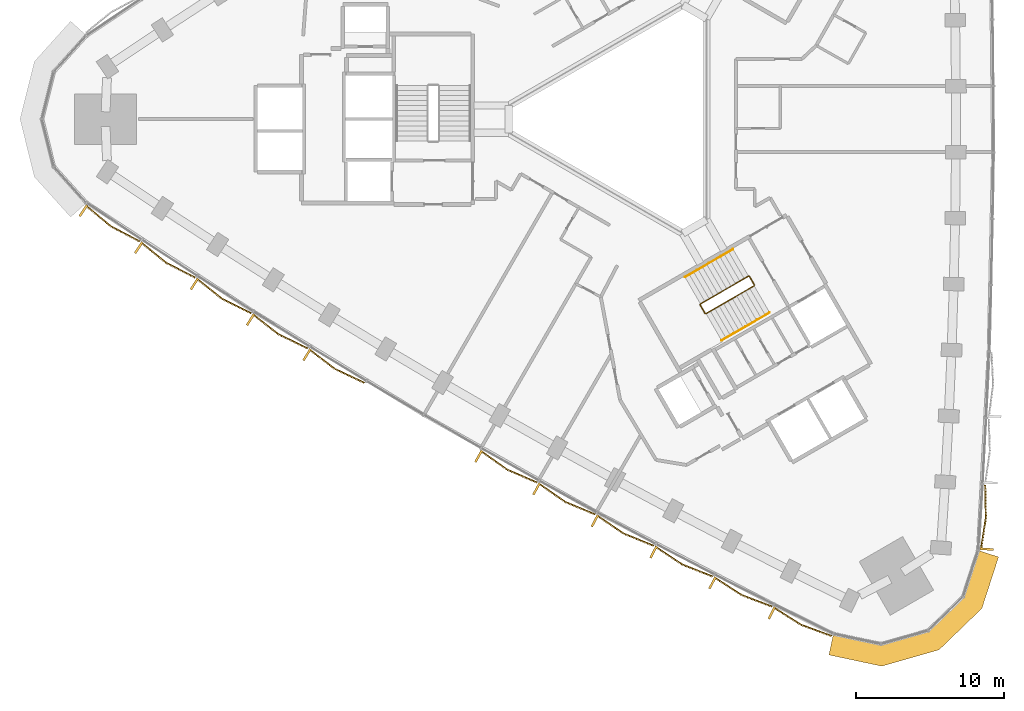
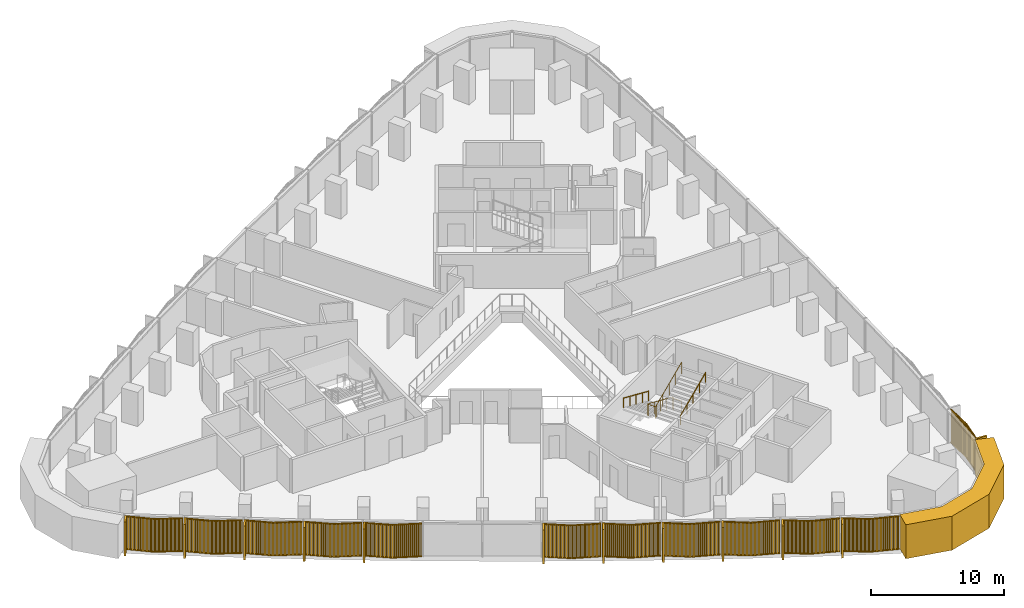
# One storey, part 13 of 15: 13 coverings, 3 railings.
"""IFC4 building model written with IfcOpenShell, lengths in metres."""

from ifc_helpers import new_model, si_unit, direction, frame, frame_2d, origin, origin_2d, place, context, subcontext, project, spatial, polyline, rectangle, circle, outline, extrude, source, transform, mapped, material, layer, layer_set, type_object, element, save


model = new_model("IFC4")

# Units and contexts
model_context = context("Model", 3, precision=1e-05, world=origin(), true_north=direction((0.0, 1.0)))
body_context = subcontext(model_context, "Body", "Model", "MODEL_VIEW")
ifc_project = project(units=[si_unit("LENGTHUNIT", "METRE"), si_unit("AREAUNIT", "SQUARE_METRE"), si_unit("VOLUMEUNIT", "CUBIC_METRE"), si_unit("PLANEANGLEUNIT", "RADIAN"), si_unit("MASSUNIT", "GRAM", prefix="KILO")], contexts=[model_context])

# Site, building, storey
site_placement = place(None, origin())
site = spatial("IfcSite", under=ifc_project, at=site_placement, CompositionType="ELEMENT")
building_placement = place(site_placement, origin())
building = spatial("IfcBuilding", under=site, at=building_placement, Name="Tamra Quay Hotel Tower", CompositionType="ELEMENT")
storey_placement = place(building_placement, frame((0.0, 0.0, 53.0)))
storey = spatial("IfcBuildingStorey", under=building, at=storey_placement, Name="L11", CompositionType="ELEMENT", Elevation=53.0)

# Covering
ifc_material_1 = material(Name="Precast concrete M60 terracotta-coloured", Category="masonry")
ifc_layer = layer(ifc_material_1, 1.449951171875)
ifc_layer_set = layer_set([ifc_layer], Name="CORNER PIER PANEL")
covering_type_1 = type_object("IfcCoveringType", Name="CORNER PIER PANEL", PredefinedType="CLADDING", material=ifc_layer_set)
covering_1_placement = place(storey_placement, origin())
element("IfcCovering", 1, at=covering_1_placement, inside=storey, type_object=covering_type_1, Name="Corner pier L11.south-west", PredefinedType="CLADDING", context=body_context, shape_type="SweptSolid", body=[
    extrude(outline(polyline([(13.593017578125, -34.877685546875), (13.29150390625, -36.296142578125), (16.88037109375, -37.058837890625), (20.75439453125, -35.947998046875), (23.65380859375, -33.148193359375), (24.78759765625, -29.658935546875), (23.40869140625, -29.210693359375), (22.386474609375, -32.356201171875), (20.00732421875, -34.65380859375), (16.828125, -35.5654296875), (13.593017578125, -34.877685546875)])), origin(), (0.0, 0.0, 1.0), 3.125),
])

# Railings
ifc_material_2 = material(Name="Stair guard 1100")
railing_type_1 = type_object("IfcRailingType", Name="Stair guard 1100", PredefinedType="GUARDRAIL", material=ifc_material_2)
railing_1_placement = place(storey_placement, frame((8.245849609375, -11.221923828125, 0.0)))
element("IfcRailing", 2, at=railing_1_placement, inside=storey, type_object=railing_type_1, Name="GR", PredefinedType="GUARDRAIL", context=body_context, shape_type="SweptSolid", body=[
    extrude(circle(Radius=0.02392578125, at=origin_2d()), frame((0.0, 0.0, 1.076171875), z_axis=(-0.500043078269, 0.866000531106, 0.0), x_axis=(-0.866000531106, -0.500043078269, 0.0)), (0.0, 0.0, 1.0), 0.6591796875),
    extrude(circle(Radius=0.02392578125, at=origin_2d()), frame((-0.32958984375, 0.57080078125, 1.076171875), z_axis=(-0.41238007866, 0.110458949641, 0.904290601062), x_axis=(-0.258736085224, -0.965948051503, 0.0)), (0.0, 0.0, 1.0), 0.165771484375),
    extrude(circle(Radius=0.02392578125, at=origin_2d()), frame((-0.39794921875, 0.589111328125, 1.22607421875), z_axis=(-0.793081581205, -0.457901355053, 0.401681409319), x_axis=(0.500012686397, -0.866018079166, 0.0)), (0.0, 0.0, 1.0), 4.108154296875),
    extrude(circle(Radius=0.02392578125, at=origin_2d()), frame((-3.656005859375, -1.2919921875, 2.8759765625), z_axis=(-0.256368644879, -0.966579080015, 0.0), x_axis=(0.966579080015, -0.256368644879, 0.0)), (0.0, 0.0, 1.0), 0.070556640625),
    extrude(circle(Radius=0.02392578125, at=origin_2d()), frame((-3.674072265625, -1.360107421875, 2.8759765625), z_axis=(0.499765215335, -0.866160914346, 0.0), x_axis=(0.866160914346, 0.499765215335, 0.0)), (0.0, 0.0, 1.0), 0.658935546875),
    extrude(circle(Radius=0.02392578125, at=origin_2d()), frame((-3.3447265625, -1.930908203125, 2.8759765625), z_axis=(0.41238007866, -0.110458949641, 0.904290601062), x_axis=(0.258736085224, 0.965948051503, 0.0)), (0.0, 0.0, 1.0), 0.165771484375),
    extrude(circle(Radius=0.02392578125, at=origin_2d()), frame((-3.2763671875, -1.94921875, 3.02587890625), z_axis=(0.793081581205, 0.457901355053, 0.401681409319), x_axis=(-0.500012686397, 0.866018079166, 0.0)), (0.0, 0.0, 1.0), 4.108154296875),
    extrude(circle(Radius=0.02099609375, at=origin_2d()), origin(), (0.0, 0.0, 1.0), 1.052001953125),
    extrude(circle(Radius=0.02099609375, at=origin_2d()), frame((-0.32958984375, 0.57080078125, 0.0)), (0.0, 0.0, 1.0), 1.052001953125),
    extrude(circle(Radius=0.02099609375, at=origin_2d()), frame((-0.39794921875, 0.589111328125, 0.14990234375)), (0.0, 0.0, 1.0), 1.052001953125),
    extrude(circle(Radius=0.02099609375, at=origin_2d()), frame((-1.21240234375, 0.118896484375, 0.5625)), (0.0, 0.0, 1.0), 1.052001953125),
    extrude(circle(Radius=0.02099609375, at=origin_2d()), frame((-2.02685546875, -0.3515625, 0.97509765625)), (0.0, 0.0, 1.0), 1.052001953125),
    extrude(circle(Radius=0.02099609375, at=origin_2d()), frame((-2.841552734375, -0.82177734375, 1.387451171875)), (0.0, 0.0, 1.0), 1.052001953125),
    extrude(circle(Radius=0.02099609375, at=origin_2d()), frame((-3.656005859375, -1.2919921875, 1.800048828125)), (0.0, 0.0, 1.0), 1.052001953125),
    extrude(circle(Radius=0.02099609375, at=origin_2d()), frame((-3.674072265625, -1.360107421875, 1.800048828125)), (0.0, 0.0, 1.0), 1.052001953125),
    extrude(circle(Radius=0.02099609375, at=origin_2d()), frame((-3.3447265625, -1.930908203125, 1.800048828125)), (0.0, 0.0, 1.0), 1.052001953125),
    extrude(circle(Radius=0.02099609375, at=origin_2d()), frame((-3.2763671875, -1.94921875, 1.949951171875)), (0.0, 0.0, 1.0), 1.052001953125),
    extrude(circle(Radius=0.02099609375, at=origin_2d()), frame((-2.4619140625, -1.47900390625, 2.362548828125)), (0.0, 0.0, 1.0), 1.052001953125),
    extrude(circle(Radius=0.02099609375, at=origin_2d()), frame((-1.6474609375, -1.0087890625, 2.77490234375)), (0.0, 0.0, 1.0), 1.052001953125),
    extrude(circle(Radius=0.02099609375, at=origin_2d()), frame((-0.832763671875, -0.538330078125, 3.1875)), (0.0, 0.0, 1.0), 1.052001953125),
    extrude(circle(Radius=0.02099609375, at=origin_2d()), frame((-0.018310546875, -0.068115234375, 3.60009765625)), (0.0, 0.0, 1.0), 1.052001953125),
])
ifc_material_3 = material(Name="Stair handrail 900")
railing_type_2 = type_object("IfcRailingType", Name="Stair handrail 900", PredefinedType="HANDRAIL", material=ifc_material_3)
railing_2_placement = place(storey_placement, frame((6.7978515625, -8.814208984375, 0.14990234375)))
element("IfcRailing", 3, at=railing_2_placement, inside=storey, type_object=railing_type_2, Name="HR", PredefinedType="HANDRAIL", context=body_context, shape_type="SweptSolid", body=[
    extrude(circle(Radius=0.02392578125, at=origin_2d()), frame((0.0, 0.0, 0.8759765625), z_axis=(-0.793081112945, -0.457875966286, 0.40171127416), x_axis=(0.499992114976, -0.866029956157, 0.0)), (0.0, 0.0, 1.0), 4.10791015625),
    extrude(circle(Radius=0.02099609375, at=origin_2d()), origin(), (0.0, 0.0, 1.0), 0.851806640625),
    extrude(circle(Radius=0.02099609375, at=origin_2d()), frame((-0.814453125, -0.47021484375, 0.41259765625)), (0.0, 0.0, 1.0), 0.851806640625),
    extrude(circle(Radius=0.02099609375, at=origin_2d()), frame((-1.62890625, -0.9404296875, 0.8251953125)), (0.0, 0.0, 1.0), 0.851806640625),
    extrude(circle(Radius=0.02099609375, at=origin_2d()), frame((-2.443359375, -1.41064453125, 1.237548828125)), (0.0, 0.0, 1.0), 0.851806640625),
    extrude(circle(Radius=0.02099609375, at=origin_2d()), frame((-3.2578125, -1.880859375, 1.650146484375)), (0.0, 0.0, 1.0), 0.851806640625),
])
railing_3_placement = place(storey_placement, frame((6.01953125, -14.98974609375, 1.949951171875)))
element("IfcRailing", 4, at=railing_3_placement, inside=storey, type_object=railing_type_2, Name="HR", PredefinedType="HANDRAIL", context=body_context, shape_type="SweptSolid", body=[
    extrude(circle(Radius=0.02392578125, at=origin_2d()), frame((0.0, 0.0, 0.8759765625), z_axis=(0.793081112945, 0.457875966286, 0.40171127416), x_axis=(-0.499992114976, 0.866029956157, 0.0)), (0.0, 0.0, 1.0), 4.10791015625),
    extrude(circle(Radius=0.02099609375, at=origin_2d()), origin(), (0.0, 0.0, 1.0), 0.851806640625),
    extrude(circle(Radius=0.02099609375, at=origin_2d()), frame((0.814453125, 0.47021484375, 0.41259765625)), (0.0, 0.0, 1.0), 0.851806640625),
    extrude(circle(Radius=0.02099609375, at=origin_2d()), frame((1.62890625, 0.9404296875, 0.8251953125)), (0.0, 0.0, 1.0), 0.851806640625),
    extrude(circle(Radius=0.02099609375, at=origin_2d()), frame((2.443359375, 1.41064453125, 1.237548828125)), (0.0, 0.0, 1.0), 0.851806640625),
    extrude(circle(Radius=0.02099609375, at=origin_2d()), frame((3.2578125, 1.880859375, 1.650146484375)), (0.0, 0.0, 1.0), 0.851806640625),
])

# Coverings
ifc_material_4 = material(Name="Terracotta baguette extruded", Category="masonry")
covering_type_2 = type_object("IfcCoveringType", Name="BAGUETTE SCREEN E-V H3125", PredefinedType="USERDEFINED", material=ifc_material_4)
shared_shape_1 = source(origin(), body_context, "Body", "SweptSolid", [
    extrude(rectangle(XDim=2.2109375, YDim=0.06005859375, at=frame_2d((1.10546875, 0.030029296875))), frame((-2.207763671875, -0.057861328125, -0.1201171875), z_axis=(0.0, 0.0, 1.0), x_axis=(0.996194698092, -0.087155742748, 0.0)), (0.0, 0.0, 1.0), 0.1201171875),
    extrude(rectangle(XDim=2.2109375, YDim=0.06005859375, at=frame_2d((1.10546875, 0.030029296875))), frame((-2.207763671875, -0.057861328125, -3.125), z_axis=(0.0, 0.0, 1.0), x_axis=(0.996194698092, -0.087155742748, 0.0)), (0.0, 0.0, 1.0), 0.1201171875),
    extrude(rectangle(XDim=0.070068359375, YDim=0.10009765625, at=frame_2d((0.03515625, 0.050048828125))), frame((-2.1875, -0.13232421875, -3.06494140625)), (0.0, 0.0, 1.0), 3.0048828125),
    extrude(rectangle(XDim=0.070068359375, YDim=0.10009765625, at=frame_2d((0.03515625, 0.050048828125))), frame((-2.08740234375, -0.14111328125, -3.06494140625)), (0.0, 0.0, 1.0), 3.0048828125),
    extrude(rectangle(XDim=0.070068359375, YDim=0.10009765625, at=frame_2d((0.03515625, 0.050048828125))), frame((-1.9873046875, -0.14990234375, -3.06494140625)), (0.0, 0.0, 1.0), 3.0048828125),
    extrude(rectangle(XDim=0.070068359375, YDim=0.10009765625, at=frame_2d((0.03515625, 0.050048828125))), frame((-1.88720703125, -0.15869140625, -3.06494140625)), (0.0, 0.0, 1.0), 3.0048828125),
    extrude(rectangle(XDim=0.070068359375, YDim=0.10009765625, at=frame_2d((0.03515625, 0.050048828125))), frame((-1.787109375, -0.16748046875, -3.06494140625)), (0.0, 0.0, 1.0), 3.0048828125),
    extrude(rectangle(XDim=0.070068359375, YDim=0.10009765625, at=frame_2d((0.03515625, 0.050048828125))), frame((-1.686767578125, -0.17626953125, -3.06494140625)), (0.0, 0.0, 1.0), 3.0048828125),
    extrude(rectangle(XDim=0.070068359375, YDim=0.10009765625, at=frame_2d((0.03515625, 0.050048828125))), frame((-1.586669921875, -0.184814453125, -3.06494140625)), (0.0, 0.0, 1.0), 3.0048828125),
    extrude(rectangle(XDim=0.070068359375, YDim=0.10009765625, at=frame_2d((0.03515625, 0.050048828125))), frame((-1.486572265625, -0.193603515625, -3.06494140625)), (0.0, 0.0, 1.0), 3.0048828125),
    extrude(rectangle(XDim=0.070068359375, YDim=0.10009765625, at=frame_2d((0.03515625, 0.050048828125))), frame((-1.386474609375, -0.202392578125, -3.06494140625)), (0.0, 0.0, 1.0), 3.0048828125),
    extrude(rectangle(XDim=0.070068359375, YDim=0.10009765625, at=frame_2d((0.03515625, 0.050048828125))), frame((-1.286376953125, -0.211181640625, -3.06494140625)), (0.0, 0.0, 1.0), 3.0048828125),
    extrude(rectangle(XDim=0.070068359375, YDim=0.10009765625, at=frame_2d((0.03515625, 0.050048828125))), frame((-1.186279296875, -0.219970703125, -3.06494140625)), (0.0, 0.0, 1.0), 3.0048828125),
    extrude(rectangle(XDim=0.070068359375, YDim=0.10009765625, at=frame_2d((0.03515625, 0.050048828125))), frame((-1.086181640625, -0.228759765625, -3.06494140625)), (0.0, 0.0, 1.0), 3.0048828125),
    extrude(rectangle(XDim=0.070068359375, YDim=0.10009765625, at=frame_2d((0.03515625, 0.050048828125))), frame((-0.986083984375, -0.237548828125, -3.06494140625)), (0.0, 0.0, 1.0), 3.0048828125),
    extrude(rectangle(XDim=0.070068359375, YDim=0.10009765625, at=frame_2d((0.03515625, 0.050048828125))), frame((-0.885986328125, -0.246337890625, -3.06494140625)), (0.0, 0.0, 1.0), 3.0048828125),
    extrude(rectangle(XDim=0.070068359375, YDim=0.10009765625, at=frame_2d((0.03515625, 0.050048828125))), frame((-0.785888671875, -0.2548828125, -3.06494140625)), (0.0, 0.0, 1.0), 3.0048828125),
    extrude(rectangle(XDim=0.070068359375, YDim=0.10009765625, at=frame_2d((0.03515625, 0.050048828125))), frame((-0.685791015625, -0.263671875, -3.06494140625)), (0.0, 0.0, 1.0), 3.0048828125),
    extrude(rectangle(XDim=0.070068359375, YDim=0.10009765625, at=frame_2d((0.03515625, 0.050048828125))), frame((-0.585693359375, -0.2724609375, -3.06494140625)), (0.0, 0.0, 1.0), 3.0048828125),
    extrude(rectangle(XDim=0.070068359375, YDim=0.10009765625, at=frame_2d((0.03515625, 0.050048828125))), frame((-0.485595703125, -0.28125, -3.06494140625)), (0.0, 0.0, 1.0), 3.0048828125),
    extrude(rectangle(XDim=0.070068359375, YDim=0.10009765625, at=frame_2d((0.03515625, 0.050048828125))), frame((-0.385498046875, -0.2900390625, -3.06494140625)), (0.0, 0.0, 1.0), 3.0048828125),
    extrude(rectangle(XDim=0.070068359375, YDim=0.10009765625, at=frame_2d((0.03515625, 0.050048828125))), frame((-0.285400390625, -0.298828125, -3.06494140625)), (0.0, 0.0, 1.0), 3.0048828125),
    extrude(rectangle(XDim=0.070068359375, YDim=0.10009765625, at=frame_2d((0.03515625, 0.050048828125))), frame((-0.18505859375, -0.3076171875, -3.06494140625)), (0.0, 0.0, 1.0), 3.0048828125),
    extrude(rectangle(XDim=0.070068359375, YDim=0.10009765625, at=frame_2d((0.03515625, 0.050048828125))), frame((-0.0849609375, -0.31640625, -3.06494140625)), (0.0, 0.0, 1.0), 3.0048828125),
    extrude(rectangle(XDim=2.2109375, YDim=0.06005859375, at=frame_2d((1.10546875, 0.030029296875))), frame((0.005126953125, -0.25048828125, -0.1201171875), z_axis=(0.0, 0.0, 1.0), x_axis=(0.996194698092, 0.087155742748, 0.0)), (0.0, 0.0, 1.0), 0.1201171875),
    extrude(rectangle(XDim=2.2109375, YDim=0.06005859375, at=frame_2d((1.10546875, 0.030029296875))), frame((0.005126953125, -0.25048828125, -3.125), z_axis=(0.0, 0.0, 1.0), x_axis=(0.996194698092, 0.087155742748, 0.0)), (0.0, 0.0, 1.0), 0.1201171875),
    extrude(rectangle(XDim=0.070068359375, YDim=0.10009765625, at=frame_2d((0.03515625, 0.050048828125))), frame((0.01513671875, -0.31640625, -3.06494140625)), (0.0, 0.0, 1.0), 3.0048828125),
    extrude(rectangle(XDim=0.070068359375, YDim=0.10009765625, at=frame_2d((0.03515625, 0.050048828125))), frame((0.115234375, -0.3076171875, -3.06494140625)), (0.0, 0.0, 1.0), 3.0048828125),
    extrude(rectangle(XDim=0.070068359375, YDim=0.10009765625, at=frame_2d((0.03515625, 0.050048828125))), frame((0.21533203125, -0.298828125, -3.06494140625)), (0.0, 0.0, 1.0), 3.0048828125),
    extrude(rectangle(XDim=0.070068359375, YDim=0.10009765625, at=frame_2d((0.03515625, 0.050048828125))), frame((0.3154296875, -0.2900390625, -3.06494140625)), (0.0, 0.0, 1.0), 3.0048828125),
    extrude(rectangle(XDim=0.070068359375, YDim=0.10009765625, at=frame_2d((0.03515625, 0.050048828125))), frame((0.41552734375, -0.28125, -3.06494140625)), (0.0, 0.0, 1.0), 3.0048828125),
    extrude(rectangle(XDim=0.070068359375, YDim=0.10009765625, at=frame_2d((0.03515625, 0.050048828125))), frame((0.515625, -0.2724609375, -3.06494140625)), (0.0, 0.0, 1.0), 3.0048828125),
    extrude(rectangle(XDim=0.070068359375, YDim=0.10009765625, at=frame_2d((0.03515625, 0.050048828125))), frame((0.61572265625, -0.263671875, -3.06494140625)), (0.0, 0.0, 1.0), 3.0048828125),
    extrude(rectangle(XDim=0.070068359375, YDim=0.10009765625, at=frame_2d((0.03515625, 0.050048828125))), frame((0.7158203125, -0.2548828125, -3.06494140625)), (0.0, 0.0, 1.0), 3.0048828125),
    extrude(rectangle(XDim=0.070068359375, YDim=0.10009765625, at=frame_2d((0.03515625, 0.050048828125))), frame((0.81591796875, -0.246337890625, -3.06494140625)), (0.0, 0.0, 1.0), 3.0048828125),
    extrude(rectangle(XDim=0.070068359375, YDim=0.10009765625, at=frame_2d((0.03515625, 0.050048828125))), frame((0.916015625, -0.237548828125, -3.06494140625)), (0.0, 0.0, 1.0), 3.0048828125),
    extrude(rectangle(XDim=0.070068359375, YDim=0.10009765625, at=frame_2d((0.03515625, 0.050048828125))), frame((1.01611328125, -0.228759765625, -3.06494140625)), (0.0, 0.0, 1.0), 3.0048828125),
    extrude(rectangle(XDim=0.070068359375, YDim=0.10009765625, at=frame_2d((0.03515625, 0.050048828125))), frame((1.1162109375, -0.219970703125, -3.06494140625)), (0.0, 0.0, 1.0), 3.0048828125),
    extrude(rectangle(XDim=0.070068359375, YDim=0.10009765625, at=frame_2d((0.03515625, 0.050048828125))), frame((1.21630859375, -0.211181640625, -3.06494140625)), (0.0, 0.0, 1.0), 3.0048828125),
    extrude(rectangle(XDim=0.070068359375, YDim=0.10009765625, at=frame_2d((0.03515625, 0.050048828125))), frame((1.316650390625, -0.202392578125, -3.06494140625)), (0.0, 0.0, 1.0), 3.0048828125),
    extrude(rectangle(XDim=0.070068359375, YDim=0.10009765625, at=frame_2d((0.03515625, 0.050048828125))), frame((1.416748046875, -0.193603515625, -3.06494140625)), (0.0, 0.0, 1.0), 3.0048828125),
    extrude(rectangle(XDim=0.070068359375, YDim=0.10009765625, at=frame_2d((0.03515625, 0.050048828125))), frame((1.516845703125, -0.184814453125, -3.06494140625)), (0.0, 0.0, 1.0), 3.0048828125),
    extrude(rectangle(XDim=0.070068359375, YDim=0.10009765625, at=frame_2d((0.03515625, 0.050048828125))), frame((1.616943359375, -0.17626953125, -3.06494140625)), (0.0, 0.0, 1.0), 3.0048828125),
    extrude(rectangle(XDim=0.070068359375, YDim=0.10009765625, at=frame_2d((0.03515625, 0.050048828125))), frame((1.717041015625, -0.16748046875, -3.06494140625)), (0.0, 0.0, 1.0), 3.0048828125),
    extrude(rectangle(XDim=0.070068359375, YDim=0.10009765625, at=frame_2d((0.03515625, 0.050048828125))), frame((1.817138671875, -0.15869140625, -3.06494140625)), (0.0, 0.0, 1.0), 3.0048828125),
    extrude(rectangle(XDim=0.070068359375, YDim=0.10009765625, at=frame_2d((0.03515625, 0.050048828125))), frame((1.917236328125, -0.14990234375, -3.06494140625)), (0.0, 0.0, 1.0), 3.0048828125),
    extrude(rectangle(XDim=0.070068359375, YDim=0.10009765625, at=frame_2d((0.03515625, 0.050048828125))), frame((2.017333984375, -0.14111328125, -3.06494140625)), (0.0, 0.0, 1.0), 3.0048828125),
    extrude(rectangle(XDim=0.070068359375, YDim=0.10009765625, at=frame_2d((0.03515625, 0.050048828125))), frame((2.117431640625, -0.13232421875, -3.06494140625)), (0.0, 0.0, 1.0), 3.0048828125),
    extrude(rectangle(XDim=0.14990234375, YDim=0.902099609375, at=frame_2d((0.074951171875, 0.451171875))), frame((-2.202392578125, -0.89990234375, -3.125)), (0.0, 0.0, 1.0), 3.125),
])
covering_2_placement = place(storey_placement, frame((23.672119140625, -26.97509765625, 3.125), z_axis=(0.0, 0.0, 1.0), x_axis=(0.064813097616, 0.997897420769, 0.0)))
element("IfcCovering", 5, at=covering_2_placement, inside=storey, type_object=covering_type_2, Name="Baguette screen L11.E.f00", ObjectType="BAGUETTE SCREEN", PredefinedType="USERDEFINED", context=body_context, shape_type="MappedRepresentation", body=[
    mapped(shared_shape_1, transform((0.0, 0.0, 0.0), scale=1.0)),
])
covering_type_3 = type_object("IfcCoveringType", Name="BAGUETTE SCREEN SW-V H3125", PredefinedType="USERDEFINED", material=ifc_material_4)
shared_shape_2 = source(origin(), body_context, "Body", "SweptSolid", [
    extrude(rectangle(XDim=2.214599609375, YDim=0.06005859375, at=frame_2d((1.107421875, 0.030029296875))), frame((-2.208740234375, -0.0576171875, -0.1201171875), z_axis=(0.0, 0.0, 1.0), x_axis=(0.994521895368, -0.104528463268, 0.0)), (0.0, 0.0, 1.0), 0.1201171875),
    extrude(rectangle(XDim=2.214599609375, YDim=0.06005859375, at=frame_2d((1.107421875, 0.030029296875))), frame((-2.208740234375, -0.0576171875, -3.125), z_axis=(0.0, 0.0, 1.0), x_axis=(0.994521895368, -0.104528463268, 0.0)), (0.0, 0.0, 1.0), 0.1201171875),
    extrude(rectangle(XDim=0.070068359375, YDim=0.10009765625, at=frame_2d((0.03515625, 0.050048828125))), frame((-2.1875, -0.13330078125, -3.06494140625)), (0.0, 0.0, 1.0), 3.0048828125),
    extrude(rectangle(XDim=0.070068359375, YDim=0.10009765625, at=frame_2d((0.03515625, 0.050048828125))), frame((-2.08740234375, -0.143798828125, -3.06494140625)), (0.0, 0.0, 1.0), 3.0048828125),
    extrude(rectangle(XDim=0.070068359375, YDim=0.10009765625, at=frame_2d((0.03515625, 0.050048828125))), frame((-1.9873046875, -0.154296875, -3.06494140625)), (0.0, 0.0, 1.0), 3.0048828125),
    extrude(rectangle(XDim=0.070068359375, YDim=0.10009765625, at=frame_2d((0.03515625, 0.050048828125))), frame((-1.88720703125, -0.164794921875, -3.06494140625)), (0.0, 0.0, 1.0), 3.0048828125),
    extrude(rectangle(XDim=0.070068359375, YDim=0.10009765625, at=frame_2d((0.03515625, 0.050048828125))), frame((-1.787109375, -0.17529296875, -3.06494140625)), (0.0, 0.0, 1.0), 3.0048828125),
    extrude(rectangle(XDim=0.070068359375, YDim=0.10009765625, at=frame_2d((0.03515625, 0.050048828125))), frame((-1.686767578125, -0.185791015625, -3.06494140625)), (0.0, 0.0, 1.0), 3.0048828125),
    extrude(rectangle(XDim=0.070068359375, YDim=0.10009765625, at=frame_2d((0.03515625, 0.050048828125))), frame((-1.586669921875, -0.1962890625, -3.06494140625)), (0.0, 0.0, 1.0), 3.0048828125),
    extrude(rectangle(XDim=0.070068359375, YDim=0.10009765625, at=frame_2d((0.03515625, 0.050048828125))), frame((-1.486572265625, -0.20703125, -3.06494140625)), (0.0, 0.0, 1.0), 3.0048828125),
    extrude(rectangle(XDim=0.070068359375, YDim=0.10009765625, at=frame_2d((0.03515625, 0.050048828125))), frame((-1.386474609375, -0.217529296875, -3.06494140625)), (0.0, 0.0, 1.0), 3.0048828125),
    extrude(rectangle(XDim=0.070068359375, YDim=0.10009765625, at=frame_2d((0.03515625, 0.050048828125))), frame((-1.286376953125, -0.22802734375, -3.06494140625)), (0.0, 0.0, 1.0), 3.0048828125),
    extrude(rectangle(XDim=0.070068359375, YDim=0.10009765625, at=frame_2d((0.03515625, 0.050048828125))), frame((-1.186279296875, -0.238525390625, -3.06494140625)), (0.0, 0.0, 1.0), 3.0048828125),
    extrude(rectangle(XDim=0.070068359375, YDim=0.10009765625, at=frame_2d((0.03515625, 0.050048828125))), frame((-1.086181640625, -0.2490234375, -3.06494140625)), (0.0, 0.0, 1.0), 3.0048828125),
    extrude(rectangle(XDim=0.070068359375, YDim=0.10009765625, at=frame_2d((0.03515625, 0.050048828125))), frame((-0.986083984375, -0.259521484375, -3.06494140625)), (0.0, 0.0, 1.0), 3.0048828125),
    extrude(rectangle(XDim=0.070068359375, YDim=0.10009765625, at=frame_2d((0.03515625, 0.050048828125))), frame((-0.885986328125, -0.27001953125, -3.06494140625)), (0.0, 0.0, 1.0), 3.0048828125),
    extrude(rectangle(XDim=0.070068359375, YDim=0.10009765625, at=frame_2d((0.03515625, 0.050048828125))), frame((-0.785888671875, -0.280517578125, -3.06494140625)), (0.0, 0.0, 1.0), 3.0048828125),
    extrude(rectangle(XDim=0.070068359375, YDim=0.10009765625, at=frame_2d((0.03515625, 0.050048828125))), frame((-0.685791015625, -0.291015625, -3.06494140625)), (0.0, 0.0, 1.0), 3.0048828125),
    extrude(rectangle(XDim=0.070068359375, YDim=0.10009765625, at=frame_2d((0.03515625, 0.050048828125))), frame((-0.585693359375, -0.301513671875, -3.06494140625)), (0.0, 0.0, 1.0), 3.0048828125),
    extrude(rectangle(XDim=0.070068359375, YDim=0.10009765625, at=frame_2d((0.03515625, 0.050048828125))), frame((-0.485595703125, -0.312255859375, -3.06494140625)), (0.0, 0.0, 1.0), 3.0048828125),
    extrude(rectangle(XDim=0.070068359375, YDim=0.10009765625, at=frame_2d((0.03515625, 0.050048828125))), frame((-0.385498046875, -0.32275390625, -3.06494140625)), (0.0, 0.0, 1.0), 3.0048828125),
    extrude(rectangle(XDim=0.070068359375, YDim=0.10009765625, at=frame_2d((0.03515625, 0.050048828125))), frame((-0.285400390625, -0.333251953125, -3.06494140625)), (0.0, 0.0, 1.0), 3.0048828125),
    extrude(rectangle(XDim=0.070068359375, YDim=0.10009765625, at=frame_2d((0.03515625, 0.050048828125))), frame((-0.18505859375, -0.34375, -3.06494140625)), (0.0, 0.0, 1.0), 3.0048828125),
    extrude(rectangle(XDim=0.070068359375, YDim=0.10009765625, at=frame_2d((0.03515625, 0.050048828125))), frame((-0.0849609375, -0.354248046875, -3.06494140625)), (0.0, 0.0, 1.0), 3.0048828125),
    extrude(rectangle(XDim=2.214599609375, YDim=0.06005859375, at=frame_2d((1.107421875, 0.030029296875))), frame((0.00634765625, -0.2890625, -0.1201171875), z_axis=(0.0, 0.0, 1.0), x_axis=(0.994521895368, 0.104528463268, 0.0)), (0.0, 0.0, 1.0), 0.1201171875),
    extrude(rectangle(XDim=2.214599609375, YDim=0.06005859375, at=frame_2d((1.107421875, 0.030029296875))), frame((0.00634765625, -0.2890625, -3.125), z_axis=(0.0, 0.0, 1.0), x_axis=(0.994521895368, 0.104528463268, 0.0)), (0.0, 0.0, 1.0), 0.1201171875),
    extrude(rectangle(XDim=0.070068359375, YDim=0.10009765625, at=frame_2d((0.03515625, 0.050048828125))), frame((0.01513671875, -0.354248046875, -3.06494140625)), (0.0, 0.0, 1.0), 3.0048828125),
    extrude(rectangle(XDim=0.070068359375, YDim=0.10009765625, at=frame_2d((0.03515625, 0.050048828125))), frame((0.115234375, -0.34375, -3.06494140625)), (0.0, 0.0, 1.0), 3.0048828125),
    extrude(rectangle(XDim=0.070068359375, YDim=0.10009765625, at=frame_2d((0.03515625, 0.050048828125))), frame((0.21533203125, -0.333251953125, -3.06494140625)), (0.0, 0.0, 1.0), 3.0048828125),
    extrude(rectangle(XDim=0.070068359375, YDim=0.10009765625, at=frame_2d((0.03515625, 0.050048828125))), frame((0.3154296875, -0.32275390625, -3.06494140625)), (0.0, 0.0, 1.0), 3.0048828125),
    extrude(rectangle(XDim=0.070068359375, YDim=0.10009765625, at=frame_2d((0.03515625, 0.050048828125))), frame((0.41552734375, -0.312255859375, -3.06494140625)), (0.0, 0.0, 1.0), 3.0048828125),
    extrude(rectangle(XDim=0.070068359375, YDim=0.10009765625, at=frame_2d((0.03515625, 0.050048828125))), frame((0.515625, -0.301513671875, -3.06494140625)), (0.0, 0.0, 1.0), 3.0048828125),
    extrude(rectangle(XDim=0.070068359375, YDim=0.10009765625, at=frame_2d((0.03515625, 0.050048828125))), frame((0.61572265625, -0.291015625, -3.06494140625)), (0.0, 0.0, 1.0), 3.0048828125),
    extrude(rectangle(XDim=0.070068359375, YDim=0.10009765625, at=frame_2d((0.03515625, 0.050048828125))), frame((0.7158203125, -0.280517578125, -3.06494140625)), (0.0, 0.0, 1.0), 3.0048828125),
    extrude(rectangle(XDim=0.070068359375, YDim=0.10009765625, at=frame_2d((0.03515625, 0.050048828125))), frame((0.81591796875, -0.27001953125, -3.06494140625)), (0.0, 0.0, 1.0), 3.0048828125),
    extrude(rectangle(XDim=0.070068359375, YDim=0.10009765625, at=frame_2d((0.03515625, 0.050048828125))), frame((0.916015625, -0.259521484375, -3.06494140625)), (0.0, 0.0, 1.0), 3.0048828125),
    extrude(rectangle(XDim=0.070068359375, YDim=0.10009765625, at=frame_2d((0.03515625, 0.050048828125))), frame((1.01611328125, -0.2490234375, -3.06494140625)), (0.0, 0.0, 1.0), 3.0048828125),
    extrude(rectangle(XDim=0.070068359375, YDim=0.10009765625, at=frame_2d((0.03515625, 0.050048828125))), frame((1.1162109375, -0.238525390625, -3.06494140625)), (0.0, 0.0, 1.0), 3.0048828125),
    extrude(rectangle(XDim=0.070068359375, YDim=0.10009765625, at=frame_2d((0.03515625, 0.050048828125))), frame((1.21630859375, -0.22802734375, -3.06494140625)), (0.0, 0.0, 1.0), 3.0048828125),
    extrude(rectangle(XDim=0.070068359375, YDim=0.10009765625, at=frame_2d((0.03515625, 0.050048828125))), frame((1.316650390625, -0.217529296875, -3.06494140625)), (0.0, 0.0, 1.0), 3.0048828125),
    extrude(rectangle(XDim=0.070068359375, YDim=0.10009765625, at=frame_2d((0.03515625, 0.050048828125))), frame((1.416748046875, -0.20703125, -3.06494140625)), (0.0, 0.0, 1.0), 3.0048828125),
    extrude(rectangle(XDim=0.070068359375, YDim=0.10009765625, at=frame_2d((0.03515625, 0.050048828125))), frame((1.516845703125, -0.1962890625, -3.06494140625)), (0.0, 0.0, 1.0), 3.0048828125),
    extrude(rectangle(XDim=0.070068359375, YDim=0.10009765625, at=frame_2d((0.03515625, 0.050048828125))), frame((1.616943359375, -0.185791015625, -3.06494140625)), (0.0, 0.0, 1.0), 3.0048828125),
    extrude(rectangle(XDim=0.070068359375, YDim=0.10009765625, at=frame_2d((0.03515625, 0.050048828125))), frame((1.717041015625, -0.17529296875, -3.06494140625)), (0.0, 0.0, 1.0), 3.0048828125),
    extrude(rectangle(XDim=0.070068359375, YDim=0.10009765625, at=frame_2d((0.03515625, 0.050048828125))), frame((1.817138671875, -0.164794921875, -3.06494140625)), (0.0, 0.0, 1.0), 3.0048828125),
    extrude(rectangle(XDim=0.070068359375, YDim=0.10009765625, at=frame_2d((0.03515625, 0.050048828125))), frame((1.917236328125, -0.154296875, -3.06494140625)), (0.0, 0.0, 1.0), 3.0048828125),
    extrude(rectangle(XDim=0.070068359375, YDim=0.10009765625, at=frame_2d((0.03515625, 0.050048828125))), frame((2.017333984375, -0.143798828125, -3.06494140625)), (0.0, 0.0, 1.0), 3.0048828125),
    extrude(rectangle(XDim=0.070068359375, YDim=0.10009765625, at=frame_2d((0.03515625, 0.050048828125))), frame((2.117431640625, -0.13330078125, -3.06494140625)), (0.0, 0.0, 1.0), 3.0048828125),
    extrude(rectangle(XDim=0.14990234375, YDim=0.902099609375, at=frame_2d((0.074951171875, 0.451171875))), frame((-2.202392578125, -0.89990234375, -3.125)), (0.0, 0.0, 1.0), 3.125),
])
for number, where, z_axis, x_axis, name in (
    (6, (-35.197021484375, -7.01318359375, 3.125), (0.0, 0.0, 1.0), (0.831797967949, -0.555078499418, 0.0), "Baguette screen L11.SW.f00"),
    (7, (-31.44140625, -9.490234375, 3.125), (0.0, 0.0, 1.0), (0.837727846152, -0.546087956086, 0.0), "Baguette screen L11.SW.f01"),
    (8, (-27.6591796875, -11.9267578125, 3.125), (0.0, 0.0, 1.0), (0.84357098627, -0.537017682319, 0.0), "Baguette screen L11.SW.f02"),
    (9, (-23.851318359375, -14.322021484375, 3.125), (0.0, 0.0, 1.0), (0.849331223164, -0.527860278254, 0.0), "Baguette screen L11.SW.f03"),
    (10, (-20.01708984375, -16.67626953125, 3.125), (0.0, 0.0, 1.0), (0.85499355735, -0.51863861878, 0.0), "Baguette screen L11.SW.f04"),
    (11, (-8.365966796875, -23.4873046875, 3.125), (0.0, 0.0, 1.0), (0.871392472945, -0.490586544959, 0.0), "Baguette screen L11.SW.f07"),
    (12, (-4.43359375, -25.67333984375, 3.125), (0.0, 0.0, 1.0), (0.876650997922, -0.481126831347, 0.0), "Baguette screen L11.SW.f08"),
    (13, (-0.4775390625, -27.81689453125, 3.125), (0.0, 0.0, 1.0), (0.881806022199, -0.47161227636, 0.0), "Baguette screen L11.SW.f09"),
    (14, (3.500732421875, -29.9169921875, 3.125), (0.0, 0.0, 1.0), (0.886856448305, -0.462045062846, 0.0), "Baguette screen L11.SW.f10"),
    (15, (7.501953125, -31.97412109375, 3.125), (0.0, 0.0, 1.0), (0.891789965747, -0.452449618182, 0.0), "Baguette screen L11.SW.f11"),
    (16, (11.52490234375, -33.988037109375, 3.125), (0.0, 0.0, 1.0), (0.896611065565, -0.442818921351, 0.0), "Baguette screen L11.SW.f12"),
):
    element("IfcCovering", number, at=place(storey_placement, frame(where, z_axis=z_axis, x_axis=x_axis)), inside=storey, type_object=covering_type_3, Name=name, ObjectType="BAGUETTE SCREEN", PredefinedType="USERDEFINED", context=body_context, shape_type="MappedRepresentation", body=[
        mapped(shared_shape_2, transform((0.0, 0.0, 0.0), scale=1.0)),
    ])

save(model, "model.ifc")
